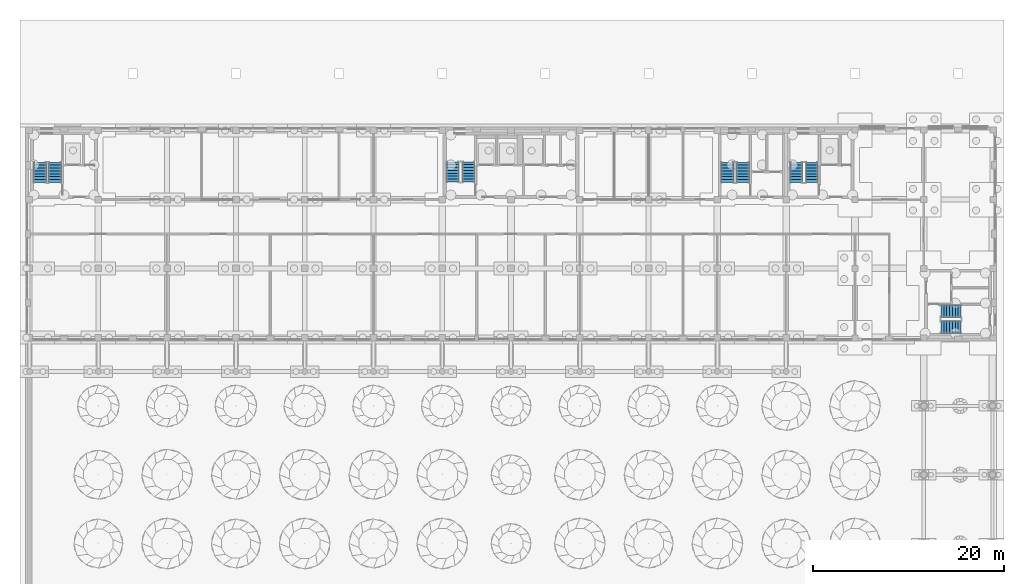
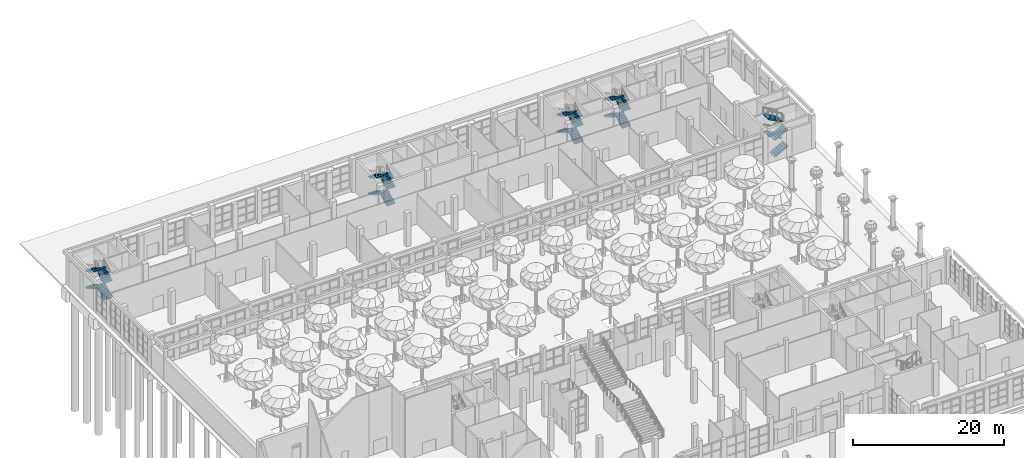
# One storey, part 55 of 80: 20 stair flights, 5 elements without a shape of their own.
"""IFC4 building model written with IfcOpenShell, lengths in metres."""

from ifc_helpers import new_model, si_unit, direction, frame, origin, place, context, subcontext, project, spatial, polyline, outline, extrude, material, type_object, element, aggregate, save


model = new_model("IFC4")

# Units and contexts
model_context = context("Model", 3, precision=1e-05, world=origin(), true_north=direction((0.0, 1.0)))
body_context = subcontext(model_context, "Body", "Model", "MODEL_VIEW")
ifc_project = project(units=[si_unit("LENGTHUNIT", "METRE"), si_unit("AREAUNIT", "SQUARE_METRE"), si_unit("VOLUMEUNIT", "CUBIC_METRE"), si_unit("PLANEANGLEUNIT", "RADIAN"), si_unit("MASSUNIT", "GRAM", prefix="KILO")], contexts=[model_context])

# Site, building, storey
site_placement = place(None, origin())
site = spatial("IfcSite", under=ifc_project, at=site_placement, CompositionType="ELEMENT")
building_placement = place(site_placement, origin())
building = spatial("IfcBuilding", under=site, at=building_placement, Name="Ussher Court Research Institute", CompositionType="ELEMENT")
storey_placement = place(building_placement, origin())
storey = spatial("IfcBuildingStorey", under=building, at=storey_placement, Name="L00", CompositionType="ELEMENT", Elevation=0.0)

# Stair, stair flights
ifc_material_1 = material(Name="Concrete C35/45", Category="concrete")
stair_type_1 = type_object("IfcStairType", Name="Core stair 32 risers 169 mm x 300 going 1280 wide", PredefinedType="HALF_TURN_STAIR", material=ifc_material_1)
stair_1_placement = place(storey_placement, origin())
stair_1 = element("IfcStair", 1, at=stair_1_placement, inside=storey, type_object=stair_type_1, Name="L00 Stair D2", PredefinedType="HALF_TURN_STAIR")
ifc_material_2 = material(Name="Concrete C35/45", Category="concrete")
stair_flight_type_1 = type_object("IfcStairFlightType", Name="Stair flight 8 risers 1280 RC", PredefinedType="STRAIGHT", material=ifc_material_2)
stair_flight_1_placement = place(storey_placement, frame((48.9599609375, 85.050048828125, 0.0), z_axis=(0.0, 0.0, 1.0), x_axis=(0.0, 1.0, 0.0)))
stair_flight_1 = element("IfcStairFlight", 2, at=stair_flight_1_placement, type_object=stair_flight_type_1, Name="D2 flight 1", NumberOfRisers=8, NumberOfTreads=7, PredefinedType="STRAIGHT", RiserHeight=0.16875, TreadLength=0.3, context=body_context, shape_type="SweptSolid", body=[
    extrude(outline(polyline([(0.0, 0.0), (0.0, 0.168701171875), (0.300048828125, 0.168701171875), (0.300048828125, 0.33740234375), (0.60009765625, 0.33740234375), (0.60009765625, 0.50634765625), (0.89990234375, 0.50634765625), (0.89990234375, 0.675048828125), (1.199951171875, 0.675048828125), (1.199951171875, 0.84375), (1.5, 0.84375), (1.5, 1.012451171875), (1.800048828125, 1.012451171875), (1.800048828125, 1.18115234375), (2.10009765625, 1.18115234375), (2.10009765625, 1.35009765625), (2.10009765625, 1.00927734375), (0.3056640625, 0.0), (0.0, 0.0)])), frame((0.0, 0.64013671875, 0.0), z_axis=(0.0, -1.0, 0.0), x_axis=(1.0, 0.0, 0.0)), (0.0, 0.0, 1.0), 1.280029296875),
])
stair_flight_2_placement = place(storey_placement, frame((47.2900390625, 87.14990234375, 1.35009765625), z_axis=(0.0, 0.0, 1.0), x_axis=(0.0, -1.0, 0.0)))
stair_flight_2 = element("IfcStairFlight", 3, at=stair_flight_2_placement, type_object=stair_flight_type_1, Name="D2 flight 2", NumberOfRisers=8, NumberOfTreads=7, PredefinedType="STRAIGHT", RiserHeight=0.16875, TreadLength=0.3, context=body_context, shape_type="SweptSolid", body=[
    extrude(outline(polyline([(0.0, 0.0), (0.0, 0.168701171875), (0.300048828125, 0.168701171875), (0.300048828125, 0.33740234375), (0.60009765625, 0.33740234375), (0.60009765625, 0.50634765625), (0.89990234375, 0.50634765625), (0.89990234375, 0.675048828125), (1.199951171875, 0.675048828125), (1.199951171875, 0.84375), (1.5, 0.84375), (1.5, 1.012451171875), (1.800048828125, 1.012451171875), (1.800048828125, 1.18115234375), (2.10009765625, 1.18115234375), (2.10009765625, 1.35009765625), (2.10009765625, 1.00927734375), (0.3056640625, 0.0), (0.0, 0.0)])), frame((0.0, 0.64013671875, 0.0), z_axis=(0.0, -1.0, 0.0), x_axis=(1.0, 0.0, 0.0)), (0.0, 0.0, 1.0), 1.280029296875),
])
stair_flight_3_placement = place(storey_placement, frame((48.9599609375, 85.050048828125, 2.699951171875), z_axis=(0.0, 0.0, 1.0), x_axis=(0.0, 1.0, 0.0)))
stair_flight_3 = element("IfcStairFlight", 4, at=stair_flight_3_placement, type_object=stair_flight_type_1, Name="D2 flight 3", NumberOfRisers=8, NumberOfTreads=7, PredefinedType="STRAIGHT", RiserHeight=0.16875, TreadLength=0.3, context=body_context, shape_type="SweptSolid", body=[
    extrude(outline(polyline([(0.0, 0.0), (0.0, 0.168701171875), (0.300048828125, 0.168701171875), (0.300048828125, 0.33740234375), (0.60009765625, 0.33740234375), (0.60009765625, 0.50634765625), (0.89990234375, 0.50634765625), (0.89990234375, 0.675048828125), (1.199951171875, 0.675048828125), (1.199951171875, 0.84375), (1.5, 0.84375), (1.5, 1.012451171875), (1.800048828125, 1.012451171875), (1.800048828125, 1.18115234375), (2.10009765625, 1.18115234375), (2.10009765625, 1.35009765625), (2.10009765625, 1.00927734375), (0.3056640625, 0.0), (0.0, 0.0)])), frame((0.0, 0.64013671875, 0.0), z_axis=(0.0, -1.0, 0.0), x_axis=(1.0, 0.0, 0.0)), (0.0, 0.0, 1.0), 1.280029296875),
])
stair_flight_4_placement = place(storey_placement, frame((47.2900390625, 87.14990234375, 4.050048828125), z_axis=(0.0, 0.0, 1.0), x_axis=(0.0, -1.0, 0.0)))
stair_flight_4 = element("IfcStairFlight", 5, at=stair_flight_4_placement, type_object=stair_flight_type_1, Name="D2 flight 4", NumberOfRisers=8, NumberOfTreads=7, PredefinedType="STRAIGHT", RiserHeight=0.16875, TreadLength=0.3, context=body_context, shape_type="SweptSolid", body=[
    extrude(outline(polyline([(0.0, 0.0), (0.0, 0.168701171875), (0.300048828125, 0.168701171875), (0.300048828125, 0.33740234375), (0.60009765625, 0.33740234375), (0.60009765625, 0.50634765625), (0.89990234375, 0.50634765625), (0.89990234375, 0.675048828125), (1.199951171875, 0.675048828125), (1.199951171875, 0.84375), (1.5, 0.84375), (1.5, 1.012451171875), (1.800048828125, 1.012451171875), (1.800048828125, 1.18115234375), (2.10009765625, 1.18115234375), (2.10009765625, 1.35009765625), (2.10009765625, 1.00927734375), (0.3056640625, 0.0), (0.0, 0.0)])), frame((0.0, 0.64013671875, 0.0), z_axis=(0.0, -1.0, 0.0), x_axis=(1.0, 0.0, 0.0)), (0.0, 0.0, 1.0), 1.280029296875),
])
aggregate(stair_1, [stair_flight_1, stair_flight_2, stair_flight_3, stair_flight_4])

ifc_material_3 = material(Name="Concrete C35/45", Category="concrete")
stair_type_2 = type_object("IfcStairType", Name="Core stair 32 risers 169 mm x 300 going 1300 wide", PredefinedType="HALF_TURN_STAIR", material=ifc_material_3)
stair_2_placement = place(storey_placement, origin())
stair_2 = element("IfcStair", 6, at=stair_2_placement, inside=storey, type_object=stair_type_2, Name="L00 Stair C1", PredefinedType="HALF_TURN_STAIR")
ifc_material_4 = material(Name="Concrete C35/45", Category="concrete")
stair_flight_type_2 = type_object("IfcStairFlightType", Name="Stair flight 8 risers 1300 RC", PredefinedType="STRAIGHT", material=ifc_material_4)
stair_flight_5_placement = place(storey_placement, frame((84.89990234375, 85.0, 0.0), z_axis=(0.0, 0.0, 1.0), x_axis=(0.0, 1.0, 0.0)))
stair_flight_5 = element("IfcStairFlight", 7, at=stair_flight_5_placement, type_object=stair_flight_type_2, Name="C1 flight 1", NumberOfRisers=8, NumberOfTreads=7, PredefinedType="STRAIGHT", RiserHeight=0.16875, TreadLength=0.3, context=body_context, shape_type="SweptSolid", body=[
    extrude(outline(polyline([(0.0, 0.0), (0.0, 0.168701171875), (0.300048828125, 0.168701171875), (0.300048828125, 0.33740234375), (0.60009765625, 0.33740234375), (0.60009765625, 0.50634765625), (0.89990234375, 0.50634765625), (0.89990234375, 0.675048828125), (1.199951171875, 0.675048828125), (1.199951171875, 0.84375), (1.5, 0.84375), (1.5, 1.012451171875), (1.800048828125, 1.012451171875), (1.800048828125, 1.18115234375), (2.10009765625, 1.18115234375), (2.10009765625, 1.35009765625), (2.10009765625, 1.00927734375), (0.3056640625, 0.0), (0.0, 0.0)])), frame((0.0, 0.64990234375, 0.0), z_axis=(0.0, -1.0, 0.0), x_axis=(1.0, 0.0, 0.0)), (0.0, 0.0, 1.0), 1.300048828125),
])
stair_flight_6_placement = place(storey_placement, frame((83.25, 87.10009765625, 1.35009765625), z_axis=(0.0, 0.0, 1.0), x_axis=(0.0, -1.0, 0.0)))
stair_flight_6 = element("IfcStairFlight", 8, at=stair_flight_6_placement, type_object=stair_flight_type_2, Name="C1 flight 2", NumberOfRisers=8, NumberOfTreads=7, PredefinedType="STRAIGHT", RiserHeight=0.16875, TreadLength=0.3, context=body_context, shape_type="SweptSolid", body=[
    extrude(outline(polyline([(0.0, 0.0), (0.0, 0.168701171875), (0.300048828125, 0.168701171875), (0.300048828125, 0.33740234375), (0.60009765625, 0.33740234375), (0.60009765625, 0.50634765625), (0.89990234375, 0.50634765625), (0.89990234375, 0.675048828125), (1.199951171875, 0.675048828125), (1.199951171875, 0.84375), (1.5, 0.84375), (1.5, 1.012451171875), (1.800048828125, 1.012451171875), (1.800048828125, 1.18115234375), (2.10009765625, 1.18115234375), (2.10009765625, 1.35009765625), (2.10009765625, 1.00927734375), (0.3056640625, 0.0), (0.0, 0.0)])), frame((0.0, 0.64990234375, 0.0), z_axis=(0.0, -1.0, 0.0), x_axis=(1.0, 0.0, 0.0)), (0.0, 0.0, 1.0), 1.300048828125),
])
stair_flight_7_placement = place(storey_placement, frame((84.89990234375, 85.0, 2.699951171875), z_axis=(0.0, 0.0, 1.0), x_axis=(0.0, 1.0, 0.0)))
stair_flight_7 = element("IfcStairFlight", 9, at=stair_flight_7_placement, type_object=stair_flight_type_2, Name="C1 flight 3", NumberOfRisers=8, NumberOfTreads=7, PredefinedType="STRAIGHT", RiserHeight=0.16875, TreadLength=0.3, context=body_context, shape_type="SweptSolid", body=[
    extrude(outline(polyline([(0.0, 0.0), (0.0, 0.168701171875), (0.300048828125, 0.168701171875), (0.300048828125, 0.33740234375), (0.60009765625, 0.33740234375), (0.60009765625, 0.50634765625), (0.89990234375, 0.50634765625), (0.89990234375, 0.675048828125), (1.199951171875, 0.675048828125), (1.199951171875, 0.84375), (1.5, 0.84375), (1.5, 1.012451171875), (1.800048828125, 1.012451171875), (1.800048828125, 1.18115234375), (2.10009765625, 1.18115234375), (2.10009765625, 1.35009765625), (2.10009765625, 1.00927734375), (0.3056640625, 0.0), (0.0, 0.0)])), frame((0.0, 0.64990234375, 0.0), z_axis=(0.0, -1.0, 0.0), x_axis=(1.0, 0.0, 0.0)), (0.0, 0.0, 1.0), 1.300048828125),
])
stair_flight_8_placement = place(storey_placement, frame((83.25, 87.10009765625, 4.050048828125), z_axis=(0.0, 0.0, 1.0), x_axis=(0.0, -1.0, 0.0)))
stair_flight_8 = element("IfcStairFlight", 10, at=stair_flight_8_placement, type_object=stair_flight_type_2, Name="C1 flight 4", NumberOfRisers=8, NumberOfTreads=7, PredefinedType="STRAIGHT", RiserHeight=0.16875, TreadLength=0.3, context=body_context, shape_type="SweptSolid", body=[
    extrude(outline(polyline([(0.0, 0.0), (0.0, 0.168701171875), (0.300048828125, 0.168701171875), (0.300048828125, 0.33740234375), (0.60009765625, 0.33740234375), (0.60009765625, 0.50634765625), (0.89990234375, 0.50634765625), (0.89990234375, 0.675048828125), (1.199951171875, 0.675048828125), (1.199951171875, 0.84375), (1.5, 0.84375), (1.5, 1.012451171875), (1.800048828125, 1.012451171875), (1.800048828125, 1.18115234375), (2.10009765625, 1.18115234375), (2.10009765625, 1.35009765625), (2.10009765625, 1.00927734375), (0.3056640625, 0.0), (0.0, 0.0)])), frame((0.0, 0.64990234375, 0.0), z_axis=(0.0, -1.0, 0.0), x_axis=(1.0, 0.0, 0.0)), (0.0, 0.0, 1.0), 1.300048828125),
])
aggregate(stair_2, [stair_flight_5, stair_flight_6, stair_flight_7, stair_flight_8])

stair_3_placement = place(storey_placement, origin())
stair_3 = element("IfcStair", 11, at=stair_3_placement, inside=storey, type_object=stair_type_2, Name="L00 Stair C2", PredefinedType="HALF_TURN_STAIR")
stair_flight_9_placement = place(storey_placement, frame((98.39990234375, 69.85009765625, 0.0), z_axis=(0.0, 0.0, 1.0), x_axis=(1.0, 0.0, 0.0)))
stair_flight_9 = element("IfcStairFlight", 12, at=stair_flight_9_placement, type_object=stair_flight_type_2, Name="C2 flight 1", NumberOfRisers=8, NumberOfTreads=7, PredefinedType="STRAIGHT", RiserHeight=0.16875, TreadLength=0.3, context=body_context, shape_type="SweptSolid", body=[
    extrude(outline(polyline([(0.0, 0.0), (0.0, 0.168701171875), (0.300048828125, 0.168701171875), (0.300048828125, 0.33740234375), (0.60009765625, 0.33740234375), (0.60009765625, 0.50634765625), (0.89990234375, 0.50634765625), (0.89990234375, 0.675048828125), (1.199951171875, 0.675048828125), (1.199951171875, 0.84375), (1.5, 0.84375), (1.5, 1.012451171875), (1.800048828125, 1.012451171875), (1.800048828125, 1.18115234375), (2.10009765625, 1.18115234375), (2.10009765625, 1.35009765625), (2.10009765625, 1.00927734375), (0.3056640625, 0.0), (0.0, 0.0)])), frame((0.0, 0.64990234375, 0.0), z_axis=(0.0, -1.0, 0.0), x_axis=(1.0, 0.0, 0.0)), (0.0, 0.0, 1.0), 1.300048828125),
])
stair_flight_10_placement = place(storey_placement, frame((100.5, 71.5, 1.35009765625), z_axis=(0.0, 0.0, 1.0), x_axis=(-1.0, 0.0, 0.0)))
stair_flight_10 = element("IfcStairFlight", 13, at=stair_flight_10_placement, type_object=stair_flight_type_2, Name="C2 flight 2", NumberOfRisers=8, NumberOfTreads=7, PredefinedType="STRAIGHT", RiserHeight=0.16875, TreadLength=0.3, context=body_context, shape_type="SweptSolid", body=[
    extrude(outline(polyline([(0.0, 0.0), (0.0, 0.168701171875), (0.300048828125, 0.168701171875), (0.300048828125, 0.33740234375), (0.60009765625, 0.33740234375), (0.60009765625, 0.50634765625), (0.89990234375, 0.50634765625), (0.89990234375, 0.675048828125), (1.199951171875, 0.675048828125), (1.199951171875, 0.84375), (1.5, 0.84375), (1.5, 1.012451171875), (1.800048828125, 1.012451171875), (1.800048828125, 1.18115234375), (2.10009765625, 1.18115234375), (2.10009765625, 1.35009765625), (2.10009765625, 1.00927734375), (0.3056640625, 0.0), (0.0, 0.0)])), frame((0.0, 0.64990234375, 0.0), z_axis=(0.0, -1.0, 0.0), x_axis=(1.0, 0.0, 0.0)), (0.0, 0.0, 1.0), 1.300048828125),
])
stair_flight_11_placement = place(storey_placement, frame((98.39990234375, 69.85009765625, 2.699951171875), z_axis=(0.0, 0.0, 1.0), x_axis=(1.0, 0.0, 0.0)))
stair_flight_11 = element("IfcStairFlight", 14, at=stair_flight_11_placement, type_object=stair_flight_type_2, Name="C2 flight 3", NumberOfRisers=8, NumberOfTreads=7, PredefinedType="STRAIGHT", RiserHeight=0.16875, TreadLength=0.3, context=body_context, shape_type="SweptSolid", body=[
    extrude(outline(polyline([(0.0, 0.0), (0.0, 0.168701171875), (0.300048828125, 0.168701171875), (0.300048828125, 0.33740234375), (0.60009765625, 0.33740234375), (0.60009765625, 0.50634765625), (0.89990234375, 0.50634765625), (0.89990234375, 0.675048828125), (1.199951171875, 0.675048828125), (1.199951171875, 0.84375), (1.5, 0.84375), (1.5, 1.012451171875), (1.800048828125, 1.012451171875), (1.800048828125, 1.18115234375), (2.10009765625, 1.18115234375), (2.10009765625, 1.35009765625), (2.10009765625, 1.00927734375), (0.3056640625, 0.0), (0.0, 0.0)])), frame((0.0, 0.64990234375, 0.0), z_axis=(0.0, -1.0, 0.0), x_axis=(1.0, 0.0, 0.0)), (0.0, 0.0, 1.0), 1.300048828125),
])
stair_flight_12_placement = place(storey_placement, frame((100.5, 71.5, 4.050048828125), z_axis=(0.0, 0.0, 1.0), x_axis=(-1.0, 0.0, 0.0)))
stair_flight_12 = element("IfcStairFlight", 15, at=stair_flight_12_placement, type_object=stair_flight_type_2, Name="C2 flight 4", NumberOfRisers=8, NumberOfTreads=7, PredefinedType="STRAIGHT", RiserHeight=0.16875, TreadLength=0.3, context=body_context, shape_type="SweptSolid", body=[
    extrude(outline(polyline([(0.0, 0.0), (0.0, 0.168701171875), (0.300048828125, 0.168701171875), (0.300048828125, 0.33740234375), (0.60009765625, 0.33740234375), (0.60009765625, 0.50634765625), (0.89990234375, 0.50634765625), (0.89990234375, 0.675048828125), (1.199951171875, 0.675048828125), (1.199951171875, 0.84375), (1.5, 0.84375), (1.5, 1.012451171875), (1.800048828125, 1.012451171875), (1.800048828125, 1.18115234375), (2.10009765625, 1.18115234375), (2.10009765625, 1.35009765625), (2.10009765625, 1.00927734375), (0.3056640625, 0.0), (0.0, 0.0)])), frame((0.0, 0.64990234375, 0.0), z_axis=(0.0, -1.0, 0.0), x_axis=(1.0, 0.0, 0.0)), (0.0, 0.0, 1.0), 1.300048828125),
])
aggregate(stair_3, [stair_flight_9, stair_flight_10, stair_flight_11, stair_flight_12])

ifc_material_5 = material(Name="Concrete C35/45", Category="concrete")
stair_type_3 = type_object("IfcStairType", Name="Core stair 32 risers 169 mm x 300 going 1350 wide", PredefinedType="HALF_TURN_STAIR", material=ifc_material_5)
stair_4_placement = place(storey_placement, origin())
stair_4 = element("IfcStair", 16, at=stair_4_placement, inside=storey, type_object=stair_type_3, Name="L00 Stair D1", PredefinedType="HALF_TURN_STAIR")
ifc_material_6 = material(Name="Concrete C35/45", Category="concrete")
stair_flight_type_3 = type_object("IfcStairFlightType", Name="Stair flight 8 risers 1350 RC", PredefinedType="STRAIGHT", material=ifc_material_6)
stair_flight_13_placement = place(storey_placement, frame((5.675048828125, 85.0, 0.0), z_axis=(0.0, 0.0, 1.0), x_axis=(0.0, 1.0, 0.0)))
stair_flight_13 = element("IfcStairFlight", 17, at=stair_flight_13_placement, type_object=stair_flight_type_3, Name="D1 flight 1", NumberOfRisers=8, NumberOfTreads=7, PredefinedType="STRAIGHT", RiserHeight=0.16875, TreadLength=0.3, context=body_context, shape_type="SweptSolid", body=[
    extrude(outline(polyline([(0.0, 0.0), (0.0, 0.168701171875), (0.300048828125, 0.168701171875), (0.300048828125, 0.33740234375), (0.60009765625, 0.33740234375), (0.60009765625, 0.50634765625), (0.89990234375, 0.50634765625), (0.89990234375, 0.675048828125), (1.199951171875, 0.675048828125), (1.199951171875, 0.84375), (1.5, 0.84375), (1.5, 1.012451171875), (1.800048828125, 1.012451171875), (1.800048828125, 1.18115234375), (2.10009765625, 1.18115234375), (2.10009765625, 1.35009765625), (2.10009765625, 1.00927734375), (0.3056640625, 0.0), (0.0, 0.0)])), frame((0.0, 0.675048828125, 0.0), z_axis=(0.0, -1.0, 0.0), x_axis=(1.0, 0.0, 0.0)), (0.0, 0.0, 1.0), 1.35009765625),
])
stair_flight_14_placement = place(storey_placement, frame((4.074951171875, 87.10009765625, 1.35009765625), z_axis=(0.0, 0.0, 1.0), x_axis=(0.0, -1.0, 0.0)))
stair_flight_14 = element("IfcStairFlight", 18, at=stair_flight_14_placement, type_object=stair_flight_type_3, Name="D1 flight 2", NumberOfRisers=8, NumberOfTreads=7, PredefinedType="STRAIGHT", RiserHeight=0.16875, TreadLength=0.3, context=body_context, shape_type="SweptSolid", body=[
    extrude(outline(polyline([(0.0, 0.0), (0.0, 0.168701171875), (0.300048828125, 0.168701171875), (0.300048828125, 0.33740234375), (0.60009765625, 0.33740234375), (0.60009765625, 0.50634765625), (0.89990234375, 0.50634765625), (0.89990234375, 0.675048828125), (1.199951171875, 0.675048828125), (1.199951171875, 0.84375), (1.5, 0.84375), (1.5, 1.012451171875), (1.800048828125, 1.012451171875), (1.800048828125, 1.18115234375), (2.10009765625, 1.18115234375), (2.10009765625, 1.35009765625), (2.10009765625, 1.00927734375), (0.3056640625, 0.0), (0.0, 0.0)])), frame((0.0, 0.675048828125, 0.0), z_axis=(0.0, -1.0, 0.0), x_axis=(1.0, 0.0, 0.0)), (0.0, 0.0, 1.0), 1.35009765625),
])
stair_flight_15_placement = place(storey_placement, frame((5.675048828125, 85.0, 2.699951171875), z_axis=(0.0, 0.0, 1.0), x_axis=(0.0, 1.0, 0.0)))
stair_flight_15 = element("IfcStairFlight", 19, at=stair_flight_15_placement, type_object=stair_flight_type_3, Name="D1 flight 3", NumberOfRisers=8, NumberOfTreads=7, PredefinedType="STRAIGHT", RiserHeight=0.16875, TreadLength=0.3, context=body_context, shape_type="SweptSolid", body=[
    extrude(outline(polyline([(0.0, 0.0), (0.0, 0.168701171875), (0.300048828125, 0.168701171875), (0.300048828125, 0.33740234375), (0.60009765625, 0.33740234375), (0.60009765625, 0.50634765625), (0.89990234375, 0.50634765625), (0.89990234375, 0.675048828125), (1.199951171875, 0.675048828125), (1.199951171875, 0.84375), (1.5, 0.84375), (1.5, 1.012451171875), (1.800048828125, 1.012451171875), (1.800048828125, 1.18115234375), (2.10009765625, 1.18115234375), (2.10009765625, 1.35009765625), (2.10009765625, 1.00927734375), (0.3056640625, 0.0), (0.0, 0.0)])), frame((0.0, 0.675048828125, 0.0), z_axis=(0.0, -1.0, 0.0), x_axis=(1.0, 0.0, 0.0)), (0.0, 0.0, 1.0), 1.35009765625),
])
stair_flight_16_placement = place(storey_placement, frame((4.074951171875, 87.10009765625, 4.050048828125), z_axis=(0.0, 0.0, 1.0), x_axis=(0.0, -1.0, 0.0)))
stair_flight_16 = element("IfcStairFlight", 20, at=stair_flight_16_placement, type_object=stair_flight_type_3, Name="D1 flight 4", NumberOfRisers=8, NumberOfTreads=7, PredefinedType="STRAIGHT", RiserHeight=0.16875, TreadLength=0.3, context=body_context, shape_type="SweptSolid", body=[
    extrude(outline(polyline([(0.0, 0.0), (0.0, 0.168701171875), (0.300048828125, 0.168701171875), (0.300048828125, 0.33740234375), (0.60009765625, 0.33740234375), (0.60009765625, 0.50634765625), (0.89990234375, 0.50634765625), (0.89990234375, 0.675048828125), (1.199951171875, 0.675048828125), (1.199951171875, 0.84375), (1.5, 0.84375), (1.5, 1.012451171875), (1.800048828125, 1.012451171875), (1.800048828125, 1.18115234375), (2.10009765625, 1.18115234375), (2.10009765625, 1.35009765625), (2.10009765625, 1.00927734375), (0.3056640625, 0.0), (0.0, 0.0)])), frame((0.0, 0.675048828125, 0.0), z_axis=(0.0, -1.0, 0.0), x_axis=(1.0, 0.0, 0.0)), (0.0, 0.0, 1.0), 1.35009765625),
])
aggregate(stair_4, [stair_flight_13, stair_flight_14, stair_flight_15, stair_flight_16])

stair_5_placement = place(storey_placement, origin())
stair_5 = element("IfcStair", 21, at=stair_5_placement, inside=storey, type_object=stair_type_3, Name="L00 Stair D3", PredefinedType="HALF_TURN_STAIR")
stair_flight_17_placement = place(storey_placement, frame((77.675048828125, 85.0, 0.0), z_axis=(0.0, 0.0, 1.0), x_axis=(0.0, 1.0, 0.0)))
stair_flight_17 = element("IfcStairFlight", 22, at=stair_flight_17_placement, type_object=stair_flight_type_3, Name="D3 flight 1", NumberOfRisers=8, NumberOfTreads=7, PredefinedType="STRAIGHT", RiserHeight=0.16875, TreadLength=0.3, context=body_context, shape_type="SweptSolid", body=[
    extrude(outline(polyline([(0.0, 0.0), (0.0, 0.168701171875), (0.300048828125, 0.168701171875), (0.300048828125, 0.33740234375), (0.60009765625, 0.33740234375), (0.60009765625, 0.50634765625), (0.89990234375, 0.50634765625), (0.89990234375, 0.675048828125), (1.199951171875, 0.675048828125), (1.199951171875, 0.84375), (1.5, 0.84375), (1.5, 1.012451171875), (1.800048828125, 1.012451171875), (1.800048828125, 1.18115234375), (2.10009765625, 1.18115234375), (2.10009765625, 1.35009765625), (2.10009765625, 1.00927734375), (0.3056640625, 0.0), (0.0, 0.0)])), frame((0.0, 0.675048828125, 0.0), z_axis=(0.0, -1.0, 0.0), x_axis=(1.0, 0.0, 0.0)), (0.0, 0.0, 1.0), 1.35009765625),
])
stair_flight_18_placement = place(storey_placement, frame((76.074951171875, 87.10009765625, 1.35009765625), z_axis=(0.0, 0.0, 1.0), x_axis=(0.0, -1.0, 0.0)))
stair_flight_18 = element("IfcStairFlight", 23, at=stair_flight_18_placement, type_object=stair_flight_type_3, Name="D3 flight 2", NumberOfRisers=8, NumberOfTreads=7, PredefinedType="STRAIGHT", RiserHeight=0.16875, TreadLength=0.3, context=body_context, shape_type="SweptSolid", body=[
    extrude(outline(polyline([(0.0, 0.0), (0.0, 0.168701171875), (0.300048828125, 0.168701171875), (0.300048828125, 0.33740234375), (0.60009765625, 0.33740234375), (0.60009765625, 0.50634765625), (0.89990234375, 0.50634765625), (0.89990234375, 0.675048828125), (1.199951171875, 0.675048828125), (1.199951171875, 0.84375), (1.5, 0.84375), (1.5, 1.012451171875), (1.800048828125, 1.012451171875), (1.800048828125, 1.18115234375), (2.10009765625, 1.18115234375), (2.10009765625, 1.35009765625), (2.10009765625, 1.00927734375), (0.3056640625, 0.0), (0.0, 0.0)])), frame((0.0, 0.675048828125, 0.0), z_axis=(0.0, -1.0, 0.0), x_axis=(1.0, 0.0, 0.0)), (0.0, 0.0, 1.0), 1.35009765625),
])
stair_flight_19_placement = place(storey_placement, frame((77.675048828125, 85.0, 2.699951171875), z_axis=(0.0, 0.0, 1.0), x_axis=(0.0, 1.0, 0.0)))
stair_flight_19 = element("IfcStairFlight", 24, at=stair_flight_19_placement, type_object=stair_flight_type_3, Name="D3 flight 3", NumberOfRisers=8, NumberOfTreads=7, PredefinedType="STRAIGHT", RiserHeight=0.16875, TreadLength=0.3, context=body_context, shape_type="SweptSolid", body=[
    extrude(outline(polyline([(0.0, 0.0), (0.0, 0.168701171875), (0.300048828125, 0.168701171875), (0.300048828125, 0.33740234375), (0.60009765625, 0.33740234375), (0.60009765625, 0.50634765625), (0.89990234375, 0.50634765625), (0.89990234375, 0.675048828125), (1.199951171875, 0.675048828125), (1.199951171875, 0.84375), (1.5, 0.84375), (1.5, 1.012451171875), (1.800048828125, 1.012451171875), (1.800048828125, 1.18115234375), (2.10009765625, 1.18115234375), (2.10009765625, 1.35009765625), (2.10009765625, 1.00927734375), (0.3056640625, 0.0), (0.0, 0.0)])), frame((0.0, 0.675048828125, 0.0), z_axis=(0.0, -1.0, 0.0), x_axis=(1.0, 0.0, 0.0)), (0.0, 0.0, 1.0), 1.35009765625),
])
stair_flight_20_placement = place(storey_placement, frame((76.074951171875, 87.10009765625, 4.050048828125), z_axis=(0.0, 0.0, 1.0), x_axis=(0.0, -1.0, 0.0)))
stair_flight_20 = element("IfcStairFlight", 25, at=stair_flight_20_placement, type_object=stair_flight_type_3, Name="D3 flight 4", NumberOfRisers=8, NumberOfTreads=7, PredefinedType="STRAIGHT", RiserHeight=0.16875, TreadLength=0.3, context=body_context, shape_type="SweptSolid", body=[
    extrude(outline(polyline([(0.0, 0.0), (0.0, 0.168701171875), (0.300048828125, 0.168701171875), (0.300048828125, 0.33740234375), (0.60009765625, 0.33740234375), (0.60009765625, 0.50634765625), (0.89990234375, 0.50634765625), (0.89990234375, 0.675048828125), (1.199951171875, 0.675048828125), (1.199951171875, 0.84375), (1.5, 0.84375), (1.5, 1.012451171875), (1.800048828125, 1.012451171875), (1.800048828125, 1.18115234375), (2.10009765625, 1.18115234375), (2.10009765625, 1.35009765625), (2.10009765625, 1.00927734375), (0.3056640625, 0.0), (0.0, 0.0)])), frame((0.0, 0.675048828125, 0.0), z_axis=(0.0, -1.0, 0.0), x_axis=(1.0, 0.0, 0.0)), (0.0, 0.0, 1.0), 1.35009765625),
])
aggregate(stair_5, [stair_flight_17, stair_flight_18, stair_flight_19, stair_flight_20])

save(model, "model.ifc")
